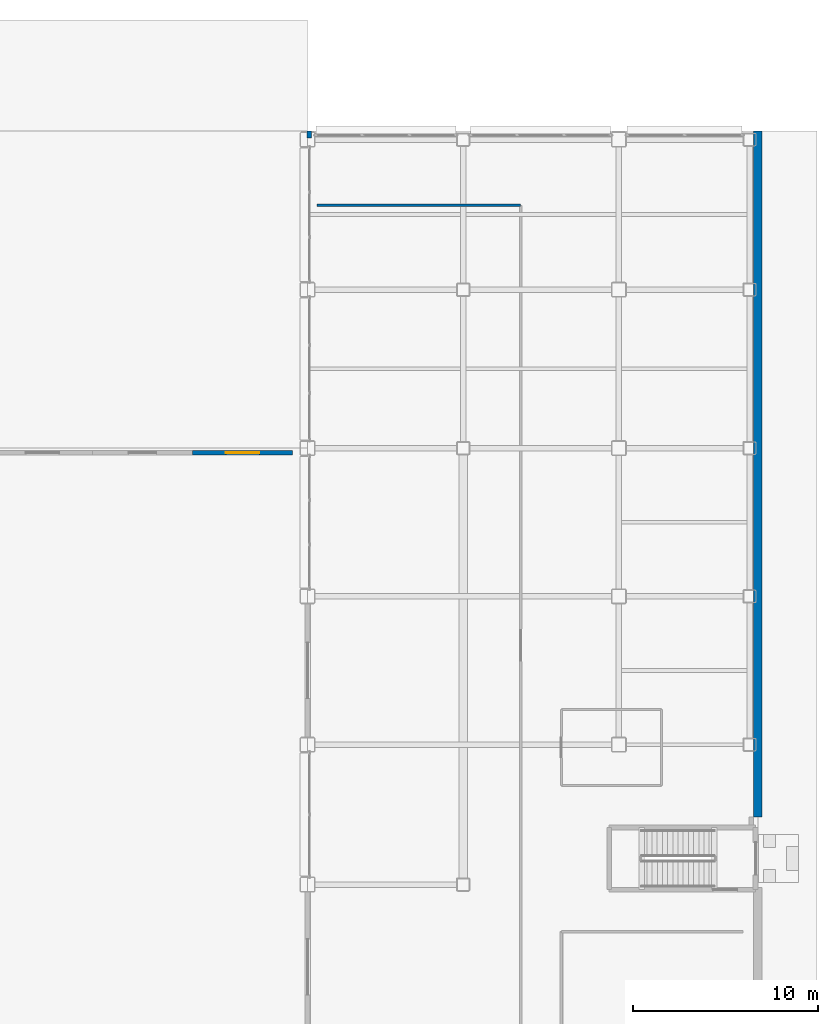
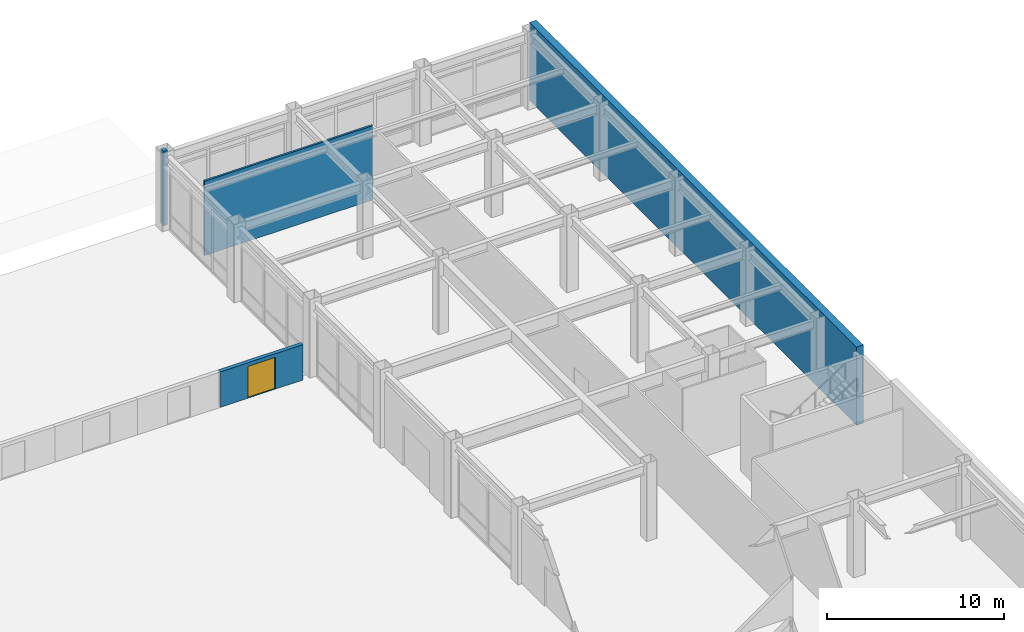
# One storey, part 136 of 165: 4 walls, 1 door, 1 opening.
"""IFC4 building model written with IfcOpenShell, lengths in metres."""

from ifc_helpers import new_model, si_unit, direction, frame, frame_2d, origin, place, context, subcontext, project, spatial, rectangle, extrude, material, layer, layer_set, type_object, element, fill, save


model = new_model("IFC4")

# Units and contexts
model_context = context("Model", 3, precision=1e-05, world=origin(), true_north=direction((0.0, 1.0)))
body_context = subcontext(model_context, "Body", "Model", "MODEL_VIEW")
ifc_project = project(units=[si_unit("LENGTHUNIT", "METRE"), si_unit("AREAUNIT", "SQUARE_METRE"), si_unit("VOLUMEUNIT", "CUBIC_METRE"), si_unit("PLANEANGLEUNIT", "RADIAN"), si_unit("MASSUNIT", "GRAM", prefix="KILO")], contexts=[model_context])

# Site, building, storey
site_placement = place(None, origin())
site = spatial("IfcSite", under=ifc_project, at=site_placement, CompositionType="ELEMENT")
building_placement = place(site_placement, origin())
building = spatial("IfcBuilding", under=site, at=building_placement, Name="Kazehara Bluff Congress Hotel", CompositionType="ELEMENT")
storey_placement = place(building_placement, origin())
storey = spatial("IfcBuildingStorey", under=building, at=storey_placement, Name="L00", CompositionType="ELEMENT", Elevation=0.0)

# Wall, opening, door
ifc_material_1 = material(Name="Precast concrete C40/50", Category="concrete")
ifc_layer_1 = layer(ifc_material_1, 0.239990234375)
ifc_layer_set_1 = layer_set([ifc_layer_1], Name="Precast concrete C40/50")
wall_type_1 = type_object("IfcWallType", Name="TP-EW-240", PredefinedType="SOLIDWALL", material=ifc_layer_set_1)
wall_1_placement = place(storey_placement, frame((137.5, 96.64990234375, 0.0), z_axis=(0.0, 0.0, 1.0), x_axis=(1.0, 0.0, 0.0)))
wall_1 = element("IfcWall", 1, at=wall_1_placement, inside=storey, type_object=wall_type_1, Name="Courtyard garden screen wall GT6", PredefinedType="SOLIDWALL", context=body_context, shape_type="SweptSolid", body=[
    extrude(rectangle(XDim=5.39990234375, YDim=0.239990234375, at=frame_2d((2.699951171875, 0.0))), origin(), (0.0, 0.0, 1.0), 2.449951171875),
])
opening_placement = place(wall_1_placement, frame((1.800048828125, 0.0, 0.0)))
opening = element("IfcOpeningElement", 2, at=opening_placement, cuts=wall_1, Name="Opening GT-02", PredefinedType="OPENING", context=body_context, shape_type="SweptSolid", body=[
    extrude(rectangle(XDim=1.800048828125, YDim=2.199951171875, at=frame_2d((0.89990234375, 1.10009765625))), frame((0.0, 0.1298828125, 0.0), z_axis=(0.0, -1.0, 0.0), x_axis=(1.0, 0.0, 0.0)), (0.0, 0.0, 1.0), 0.260009765625),
])
ifc_material_2 = material(Name="Painted galvanised steel", Category="steel")
door_type = type_object("IfcDoorType", Name="TP-GT-02", OperationType="NOTDEFINED", PredefinedType="GATE", material=ifc_material_2)
door_placement = place(opening_placement, origin())
door = element("IfcDoor", 3, at=door_placement, inside=storey, type_object=door_type, Name="Courtyard garden gate GT6", OperationType="SINGLE_SWING_RIGHT", OverallHeight=2.199951171875, OverallWidth=1.800048828125, PredefinedType="GATE", context=body_context, shape_type="SweptSolid", body=[
    extrude(rectangle(XDim=1.800048828125, YDim=2.199951171875, at=frame_2d((0.89990234375, 1.10009765625))), frame((0.0, 0.02490234375, 0.0), z_axis=(0.0, -1.0, 0.0), x_axis=(1.0, 0.0, 0.0)), (0.0, 0.0, 1.0), 0.050048828125),
])
fill(opening, door)

# Walls
wall_2_placement = place(storey_placement, frame((143.800048828125, 113.639892578125, 0.0), z_axis=(0.0, 0.0, 1.0), x_axis=(0.0, 1.0, 0.0)))
element("IfcWall", 4, at=wall_2_placement, inside=storey, type_object=wall_type_1, Name="L00 V5 perimeter spandrel pier 549", PredefinedType="SOLIDWALL", context=body_context, shape_type="SweptSolid", body=[
    extrude(rectangle(XDim=0.360107421875, YDim=0.239990234375, at=frame_2d((0.18017578125, 0.0))), origin(), (0.0, 0.0, 1.0), 5.135009765625),
])
ifc_material_3 = material(Name="Fire-rated gypsum board stud partition")
ifc_layer_2 = layer(ifc_material_3, 0.1298828125)
ifc_layer_set_2 = layer_set([ifc_layer_2], Name="Fire-rated gypsum board stud partition")
wall_type_2 = type_object("IfcWallType", Name="TP-PT-130", PredefinedType="PARTITIONING", material=ifc_layer_set_2)
wall_3_placement = place(storey_placement, frame((144.199951171875, 110.0, 0.0), z_axis=(0.0, 0.0, 1.0), x_axis=(1.0, 0.0, 0.0)))
element("IfcWall", 5, at=wall_3_placement, inside=storey, type_object=wall_type_2, Name="L00 partition PT-130 92", PredefinedType="PARTITIONING", context=body_context, shape_type="SweptSolid", body=[
    extrude(rectangle(XDim=11.0, YDim=0.1298828125, at=frame_2d((5.5, 0.0))), origin(), (0.0, 0.0, 1.0), 5.135009765625),
])
ifc_material_4 = material(Name="Concrete C40/50", Category="concrete")
ifc_layer_3 = layer(ifc_material_4, 0.449951171875)
ifc_layer_set_3 = layer_set([ifc_layer_3], Name="Concrete C40/50")
wall_type_3 = type_object("IfcWallType", Name="TP-RW-450", PredefinedType="USERDEFINED", material=ifc_layer_set_3)
wall_4_placement = place(storey_placement, frame((168.0, 77.0, 0.0), z_axis=(0.0, 0.0, 1.0), x_axis=(0.0, 1.0, 0.0)))
element("IfcWall", 6, at=wall_4_placement, inside=storey, type_object=wall_type_3, Name="Bluff street retaining wall 3", ObjectType="RETAININGWALL", PredefinedType="USERDEFINED", context=body_context, shape_type="SweptSolid", body=[
    extrude(rectangle(XDim=37.0, YDim=0.449951171875, at=frame_2d((18.5, 0.0))), origin(), (0.0, 0.0, 1.0), 5.39990234375),
])

save(model, "model.ifc")
